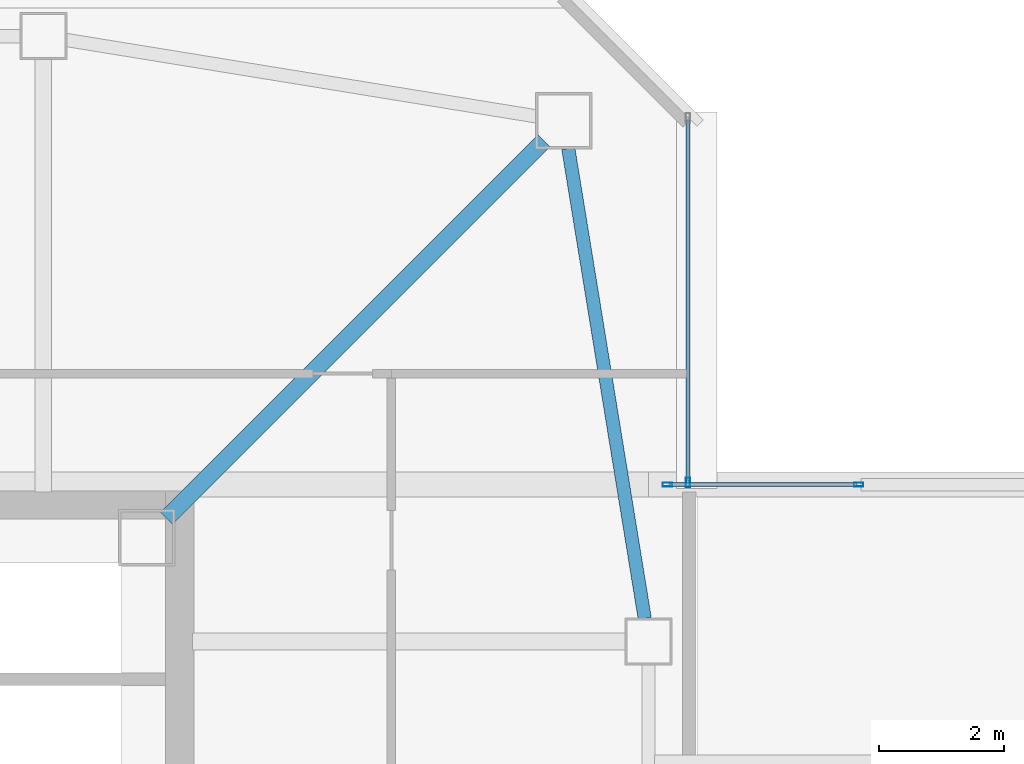
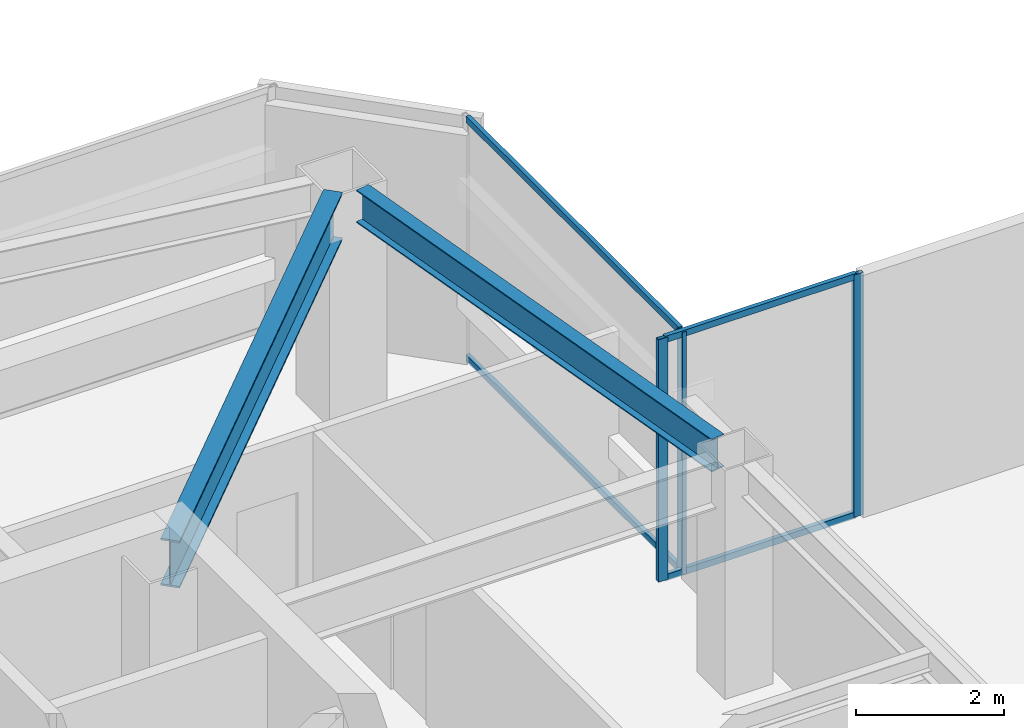
# One storey, part 14 of 51: 7 members, 2 beams, 2 elements without a shape of their own.
"""IFC4 building model written with IfcOpenShell, lengths in metres."""

import ifcopenshell
import ifcopenshell.guid

model = None  # the IFC model being written
_history = None  # IfcOwnerHistory: only IFC2X3 demands one
_inside = {}  # id of a spatial element -> (the spatial element, [elements in it])
_under = {}  # id of a project, library or spatial element -> (it, [spatial elements below it])
_declared = {}  # id of a project -> (the project, [libraries it declares])
_typed = {}  # id of a type object -> (the type object, [elements of that type])
_made_of = {}  # id of a material, layer set ... -> (it, [elements and type objects made of it])


def new_model(schema):
    """Start an empty IFC model of exactly this schema.

    Asked for "IFC4X3", IfcOpenShell would pick the latest addendum, in which some entities
    have other attributes; the version numbers below select the first issue.
    IFC2X3 requires an IfcOwnerHistory on every rooted entity: one is made here for all.
    """
    global model, _history
    if schema == "IFC4X3":
        model = ifcopenshell.file(schema_version=(4, 3, 0, 0))
    else:
        model = ifcopenshell.file(schema=schema)
    _inside.clear()
    _under.clear()
    _declared.clear()
    _typed.clear()
    _made_of.clear()
    _history = None
    if model.schema == "IFC2X3":
        org = make("IfcOrganization", Name="unknown")
        user = make(
            "IfcPersonAndOrganization",
            ThePerson=make("IfcPerson", FamilyName="unknown"),
            TheOrganization=org,
        )
        app = make(
            "IfcApplication",
            ApplicationDeveloper=org,
            Version="unknown",
            ApplicationFullName="unknown",
            ApplicationIdentifier="unknown",
        )
        _history = make(
            "IfcOwnerHistory",
            OwningUser=user,
            OwningApplication=app,
            ChangeAction="ADDED",
            CreationDate=0,
        )
    return model


def make(cls, **values):
    """One entity of the class cls with the attributes given. An attribute that is None is left unset."""
    return model.create_entity(
        cls, **{name: value for name, value in values.items() if value is not None}
    )


def rooted(cls, **values):
    """An entity with a GlobalId (a new one), such as an element, a storey or a relation."""
    return make(cls, GlobalId=ifcopenshell.guid.new(), OwnerHistory=_history, **values)


def si_unit(unit_type, name, prefix=None):
    """IfcSIUnit, for example si_unit("LENGTHUNIT", "METRE", prefix="MILLI")."""
    return make("IfcSIUnit", UnitType=unit_type, Prefix=prefix, Name=name)


def assignment(units):
    """IfcUnitAssignment: the units of a project."""
    return None if units is None else make("IfcUnitAssignment", Units=units)


def point(xyz):
    """IfcCartesianPoint."""
    return None if xyz is None else make("IfcCartesianPoint", Coordinates=xyz)


def direction(xyz):
    """IfcDirection."""
    return None if xyz is None else make("IfcDirection", DirectionRatios=xyz)


def frame(location, z_axis=None, x_axis=None):
    """IfcAxis2Placement3D, a coordinate frame: its origin and axes. An axis left out is left unset."""
    return make(
        "IfcAxis2Placement3D",
        Location=point(location),
        Axis=direction(z_axis),
        RefDirection=direction(x_axis),
    )


def frame_2d(location, x_axis=None):
    """IfcAxis2Placement2D, a coordinate frame in the plane: its origin and x axis."""
    return make(
        "IfcAxis2Placement2D", Location=point(location), RefDirection=direction(x_axis)
    )


def origin():
    """The frame at (0, 0, 0) with its axes left unset."""
    return frame((0.0, 0.0, 0.0))


def origin_2d():
    """The frame at (0, 0) in the plane with its x axis left unset."""
    return frame_2d((0.0, 0.0))


def place(relative_to, where):
    """IfcLocalPlacement: puts the frame where relative to a parent placement (None: the world)."""
    return make(
        "IfcLocalPlacement", PlacementRelTo=relative_to, RelativePlacement=where
    )


def context(
    kind, dimensions, precision=None, world=None, true_north=None, identifier=None
):
    """IfcGeometricRepresentationContext, for example the 3D "Model" context."""
    return make(
        "IfcGeometricRepresentationContext",
        ContextIdentifier=identifier,
        ContextType=kind,
        CoordinateSpaceDimension=dimensions,
        Precision=precision,
        WorldCoordinateSystem=world,
        TrueNorth=true_north,
    )


def subcontext(parent, identifier, kind, view, scale=None):
    """IfcGeometricRepresentationSubContext, for example "Body" below "Model"."""
    return make(
        "IfcGeometricRepresentationSubContext",
        ContextIdentifier=identifier,
        ContextType=kind,
        ParentContext=parent,
        TargetScale=scale,
        TargetView=view,
    )


def project(units=None, contexts=None):
    """IfcProject with its units and contexts."""
    return rooted(
        "IfcProject",
        Name="project",
        RepresentationContexts=contexts,
        UnitsInContext=assignment(units),
    )


def spatial(cls, under=None, at=None, **own):
    """A site, building, storey or space (cls), placed at a placement, below another one or the project."""
    s = rooted(cls, ObjectPlacement=at, **own)
    if under is not None:
        _under.setdefault(under.id(), (under, []))[1].append(s)
    return s


def profile(cls, at=None, kind="AREA", **sizes):
    """A parametric profile (cls). Its sizes go by their IFC names, for example OverallWidth=200.0."""
    return make(cls, ProfileType=kind, Position=at, **sizes)


def hollow_rectangle(**sizes):
    """IfcRectangleHollowProfileDef."""
    return profile("IfcRectangleHollowProfileDef", **sizes)


def i_section(**sizes):
    """IfcIShapeProfileDef."""
    return profile("IfcIShapeProfileDef", **sizes)


def extrude(swept, where, along, depth):
    """IfcExtrudedAreaSolid: the profile swept, set in the frame where, extruded along a direction by depth."""
    return make(
        "IfcExtrudedAreaSolid",
        SweptArea=swept,
        Position=where,
        ExtrudedDirection=direction(along),
        Depth=depth,
    )


def shape(context_of_items, identifier, shape_type, items):
    """IfcShapeRepresentation: the items that make up one representation, for example the "Body"."""
    return make(
        "IfcShapeRepresentation",
        ContextOfItems=context_of_items,
        RepresentationIdentifier=identifier,
        RepresentationType=shape_type,
        Items=items,
    )


def material(Name=None, Category=None):
    """IfcMaterial."""
    return make("IfcMaterial", Name=Name, Category=Category)


def material_profile(
    of_material, cross_section, Name=None, Category=None, Priority=None
):
    """IfcMaterialProfile: a cross section and its material."""
    return make(
        "IfcMaterialProfile",
        Name=Name,
        Material=of_material,
        Profile=cross_section,
        Priority=Priority,
        Category=Category,
    )


def profile_set(profiles, Name=None, composite=None):
    """IfcMaterialProfileSet."""
    return make(
        "IfcMaterialProfileSet",
        Name=Name,
        MaterialProfiles=profiles,
        CompositeProfile=composite,
    )


def made_of(thing, what):
    """Note that an element or type object is made of a material, layer set ...; save() writes the relation."""
    if what is not None:
        _made_of.setdefault(what.id(), (what, []))[1].append(thing)
    return thing


def type_object(cls, material=None, **own):
    """A type object (cls), such as IfcWallType, which elements share."""
    return made_of(rooted(cls, **own), material)


def element(
    cls,
    number,
    at=None,
    inside=None,
    cuts=None,
    type_object=None,
    material=None,
    context=None,
    identifier="Body",
    shape_type=None,
    held_by="IfcProductDefinitionShape",
    body=None,
    shapes=None,
    **own,
):
    """One element of the class cls, such as IfcWall. Its Tag is "e" and its number.

    at: its placement. inside: the storey or other place that contains it. cuts: it is an
    opening in that element (IfcRelVoidsElement). A single representation is given by context,
    identifier, shape_type and body (its items); several are given by shapes. held_by: the class
    of the entity that holds the representations. save() writes the other relations.
    """
    e = rooted(cls, Tag="e%d" % number, ObjectPlacement=at, **own)
    if body is not None:
        shapes = [shape(context, identifier, shape_type, body)]
    if shapes is not None:
        e.Representation = make(held_by, Representations=shapes)
    if inside is not None:
        _inside.setdefault(inside.id(), (inside, []))[1].append(e)
    if cuts is not None:
        rooted(
            "IfcRelVoidsElement", RelatingBuildingElement=cuts, RelatedOpeningElement=e
        )
    if type_object is not None:
        _typed.setdefault(type_object.id(), (type_object, []))[1].append(e)
    return made_of(e, material)


def aggregate(whole, parts):
    """IfcRelAggregates: a whole, such as a stair, and the parts it consists of."""
    return rooted("IfcRelAggregates", RelatingObject=whole, RelatedObjects=parts)


def save(model, path):
    """Write the relations noted so far, then the file.

    IfcRelAggregates (storeys below a building ...), IfcRelContainedInSpatialStructure (elements
    in a storey), IfcRelDefinesByType, IfcRelAssociatesMaterial and IfcRelDeclares: one each for
    every whole, place, type object, material and project.
    """
    for whole, parts in _under.values():
        aggregate(whole, parts)
    for where, things in _inside.values():
        rooted(
            "IfcRelContainedInSpatialStructure",
            RelatedElements=things,
            RelatingStructure=where,
        )
    for kind, things in _typed.values():
        rooted("IfcRelDefinesByType", RelatedObjects=things, RelatingType=kind)
    for what, things in _made_of.values():
        rooted("IfcRelAssociatesMaterial", RelatedObjects=things, RelatingMaterial=what)
    for by, libraries in _declared.values():
        rooted("IfcRelDeclares", RelatingContext=by, RelatedDefinitions=libraries)
    model.write(path)


model = new_model("IFC4")

# Units and contexts
model_context = context("Model", 3, precision=1e-05, world=origin(), true_north=direction((0.0, 1.0)))
body_context = subcontext(model_context, "Body", "Model", "MODEL_VIEW")
ifc_project = project(units=[si_unit("LENGTHUNIT", "METRE"), si_unit("AREAUNIT", "SQUARE_METRE"), si_unit("VOLUMEUNIT", "CUBIC_METRE"), si_unit("PLANEANGLEUNIT", "RADIAN"), si_unit("MASSUNIT", "GRAM", prefix="KILO")], contexts=[model_context])

# Site, building, storey
site_placement = place(None, origin())
site = spatial("IfcSite", under=ifc_project, at=site_placement, CompositionType="ELEMENT")
building_placement = place(site_placement, origin())
building = spatial("IfcBuilding", under=site, at=building_placement, Name="Tashvorn Skyway Center", CompositionType="ELEMENT")
storey_placement = place(building_placement, frame((0.0, 0.0, 251.39990234375)))
storey = spatial("IfcBuildingStorey", under=building, at=storey_placement, Name="L68", CompositionType="ELEMENT", Elevation=251.39990234375)

# Beams
ifc_material_1 = material(Name="Steel ASTM A992 Grade 50", Category="steel")
ifc_material_profile_1 = material_profile(ifc_material_1, i_section(OverallWidth=0.26708984375, OverallDepth=0.779052734375, WebThickness=0.0166015625, FlangeThickness=0.030029296875, at=origin_2d()), Name="W30X148")
ifc_profile_set_1 = profile_set([ifc_material_profile_1], Name="Steel ASTM A992 Grade 50")
beam_type_1 = type_object("IfcBeamType", Name="BM-BEAM-W30X148", PredefinedType="BEAM", material=ifc_profile_set_1)
beam_1_placement = place(storey_placement, frame((55.38525390625, 45.38525390625, 3.390625), z_axis=(-0.707106781187, -0.707106781187, 0.0), x_axis=(0.707106781187, -0.707106781187, 0.0)))
element("IfcBeam", 1, at=beam_1_placement, inside=storey, type_object=beam_type_1, Name="Tower 1 L68 Primary Floor Girder MC-NE", PredefinedType="BEAM", context=body_context, shape_type="SweptSolid", body=[
    extrude(i_section(OverallWidth=0.26708984375, OverallDepth=0.779052734375, WebThickness=0.0166015625, FlangeThickness=0.030029296875, at=origin_2d()), origin(), (0.0, 0.0, 1.0), 8.514404296875),
])
ifc_material_profile_2 = material_profile(ifc_material_1, i_section(OverallWidth=0.2109375, OverallDepth=0.5390625, WebThickness=0.01171875, FlangeThickness=0.018798828125, at=origin_2d()), Name="W21X73")
ifc_profile_set_2 = profile_set([ifc_material_profile_2], Name="Steel ASTM A992 Grade 50")
beam_type_2 = type_object("IfcBeamType", Name="BM-SPANDREL-W21X73", PredefinedType="SPANDREL", material=ifc_profile_set_2)
beam_2_placement = place(storey_placement, frame((56.990478515625, 37.76513671875, 3.510498046875), z_axis=(-0.160519005885, 0.987032749583, 0.0), x_axis=(-0.987032749583, -0.160519005885, 0.0)))
element("IfcBeam", 2, at=beam_2_placement, inside=storey, type_object=beam_type_2, Name="Tower 1 L68 Spandrel Beam 06", PredefinedType="SPANDREL", context=body_context, shape_type="SweptSolid", body=[
    extrude(i_section(OverallWidth=0.2109375, OverallDepth=0.5390625, WebThickness=0.01171875, FlangeThickness=0.018798828125, at=origin_2d()), origin(), (0.0, 0.0, 1.0), 7.593994140625),
])

# Curtain wall, member
ifc_material_2 = material(Name="Thermally broken bronze-anodized aluminium 6063-T6", Category="aluminium")
curtain_wall_type = type_object("IfcCurtainWallType", Name="CW-CW-SKY", PredefinedType="NOTDEFINED", material=ifc_material_2)
curtain_wall_1_placement = place(storey_placement, origin())
curtain_wall_1 = element("IfcCurtainWall", 3, at=curtain_wall_1_placement, inside=storey, type_object=curtain_wall_type, Name="Tower 1 L68 East Curtain Wall A", PredefinedType="NOTDEFINED")
ifc_material_profile_3 = material_profile(ifc_material_2, hollow_rectangle(XDim=0.06494140625, YDim=0.14990234375, WallThickness=0.00390625, at=origin_2d()), Name="ALU-MULL-65x150")
ifc_profile_set_3 = profile_set([ifc_material_profile_3], Name="Thermally broken bronze-anodized aluminium 6063-T6")
member_type_1 = type_object("IfcMemberType", Name="CWM-CW-SKY", PredefinedType="MULLION", material=ifc_profile_set_3)
member_1_placement = place(storey_placement, frame((57.679931640625, 39.9326171875, 0.0), z_axis=(0.0, 0.0, 1.0), x_axis=(1.0, 0.0, 0.0)))
member_1 = element("IfcMember", 4, at=member_1_placement, type_object=member_type_1, Name="CW-SKY mullion 2", PredefinedType="MULLION", context=body_context, shape_type="SweptSolid", body=[
    extrude(hollow_rectangle(XDim=0.06494140625, YDim=0.14990234375, WallThickness=0.00390625, at=origin_2d()), origin(), (0.0, 0.0, 1.0), 4.0),
])

# Curtain wall, members
curtain_wall_2_placement = place(storey_placement, origin())
curtain_wall_2 = element("IfcCurtainWall", 5, at=curtain_wall_2_placement, inside=storey, type_object=curtain_wall_type, Name="Sky-Park L68 Bridge North Curtain Wall Glazing Group 1", PredefinedType="NOTDEFINED")
member_2_placement = place(storey_placement, frame((57.3525390625, 39.89990234375, 0.0), z_axis=(0.0, 0.0, 1.0), x_axis=(0.0, 1.0, 0.0)))
member_2 = element("IfcMember", 6, at=member_2_placement, type_object=member_type_1, Name="CW-SKY mullion 1", PredefinedType="MULLION", context=body_context, shape_type="SweptSolid", body=[
    extrude(hollow_rectangle(XDim=0.06494140625, YDim=0.14990234375, WallThickness=0.00390625, at=origin_2d()), origin(), (0.0, 0.0, 1.0), 4.0),
])
member_3_placement = place(storey_placement, frame((60.402587890625, 39.89990234375, 0.0), z_axis=(0.0, 0.0, 1.0), x_axis=(0.0, 1.0, 0.0)))
member_3 = element("IfcMember", 7, at=member_3_placement, type_object=member_type_1, Name="CW-SKY mullion 2", PredefinedType="MULLION", context=body_context, shape_type="SweptSolid", body=[
    extrude(hollow_rectangle(XDim=0.06494140625, YDim=0.14990234375, WallThickness=0.00390625, at=origin_2d()), origin(), (0.0, 0.0, 1.0), 4.0),
])

# Member
ifc_material_profile_4 = material_profile(ifc_material_2, hollow_rectangle(XDim=0.06494140625, YDim=0.10498046875, WallThickness=0.00390625, at=origin_2d()), Name="ALU-TRAN-65x105")
ifc_profile_set_4 = profile_set([ifc_material_profile_4], Name="Thermally broken bronze-anodized aluminium 6063-T6")
member_type_2 = type_object("IfcMemberType", Name="CWT-CW-SKY", PredefinedType="USERDEFINED", material=ifc_profile_set_4)
member_4_placement = place(storey_placement, frame((57.679931640625, 45.715087890625, 0.03271484375), z_axis=(0.0, -1.0, 0.0), x_axis=(1.0, 0.0, 0.0)))
member_4 = element("IfcMember", 8, at=member_4_placement, type_object=member_type_2, Name="CW-SKY transom 1.1", ObjectType="TRANSOM", PredefinedType="USERDEFINED", context=body_context, shape_type="SweptSolid", body=[
    extrude(hollow_rectangle(XDim=0.06494140625, YDim=0.10498046875, WallThickness=0.00390625, at=origin_2d()), origin(), (0.0, 0.0, 1.0), 5.75),
])

member_5_placement = place(storey_placement, frame((57.679931640625, 45.715087890625, 3.967529296875), z_axis=(0.0, -1.0, 0.0), x_axis=(1.0, 0.0, 0.0)))
member_5 = element("IfcMember", 9, at=member_5_placement, type_object=member_type_2, Name="CW-SKY transom 1.2", ObjectType="TRANSOM", PredefinedType="USERDEFINED", context=body_context, shape_type="SweptSolid", body=[
    extrude(hollow_rectangle(XDim=0.06494140625, YDim=0.10498046875, WallThickness=0.00390625, at=origin_2d()), origin(), (0.0, 0.0, 1.0), 5.75),
])

aggregate(curtain_wall_1, [member_1, member_4, member_5])

member_6_placement = place(storey_placement, frame((57.385009765625, 39.89990234375, 0.03271484375), z_axis=(1.0, 0.0, 0.0), x_axis=(0.0, 1.0, 0.0)))
member_6 = element("IfcMember", 10, at=member_6_placement, type_object=member_type_2, Name="CW-SKY transom 1.1", ObjectType="TRANSOM", PredefinedType="USERDEFINED", context=body_context, shape_type="SweptSolid", body=[
    extrude(hollow_rectangle(XDim=0.06494140625, YDim=0.10498046875, WallThickness=0.00390625, at=origin_2d()), origin(), (0.0, 0.0, 1.0), 2.985107421875),
])

member_7_placement = place(storey_placement, frame((57.385009765625, 39.89990234375, 3.967529296875), z_axis=(1.0, 0.0, 0.0), x_axis=(0.0, 1.0, 0.0)))
member_7 = element("IfcMember", 11, at=member_7_placement, type_object=member_type_2, Name="CW-SKY transom 1.2", ObjectType="TRANSOM", PredefinedType="USERDEFINED", context=body_context, shape_type="SweptSolid", body=[
    extrude(hollow_rectangle(XDim=0.06494140625, YDim=0.10498046875, WallThickness=0.00390625, at=origin_2d()), origin(), (0.0, 0.0, 1.0), 2.985107421875),
])

aggregate(curtain_wall_2, [member_2, member_3, member_6, member_7])

save(model, "model.ifc")
